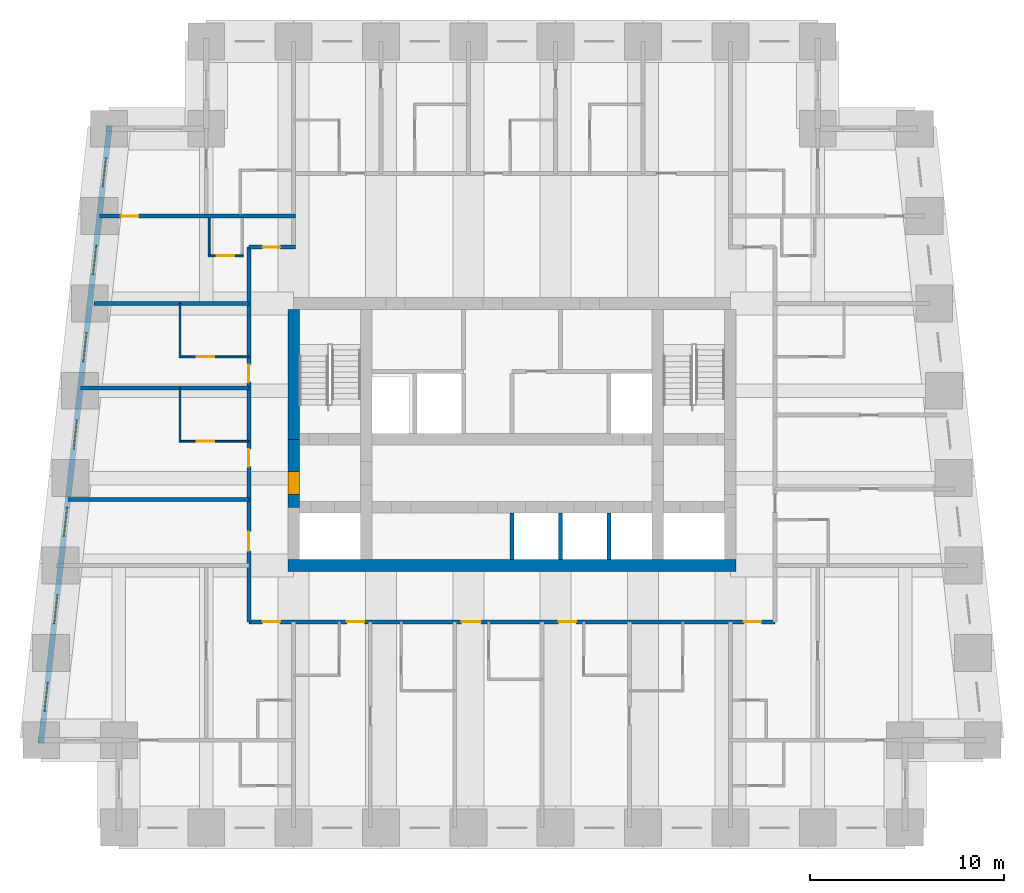
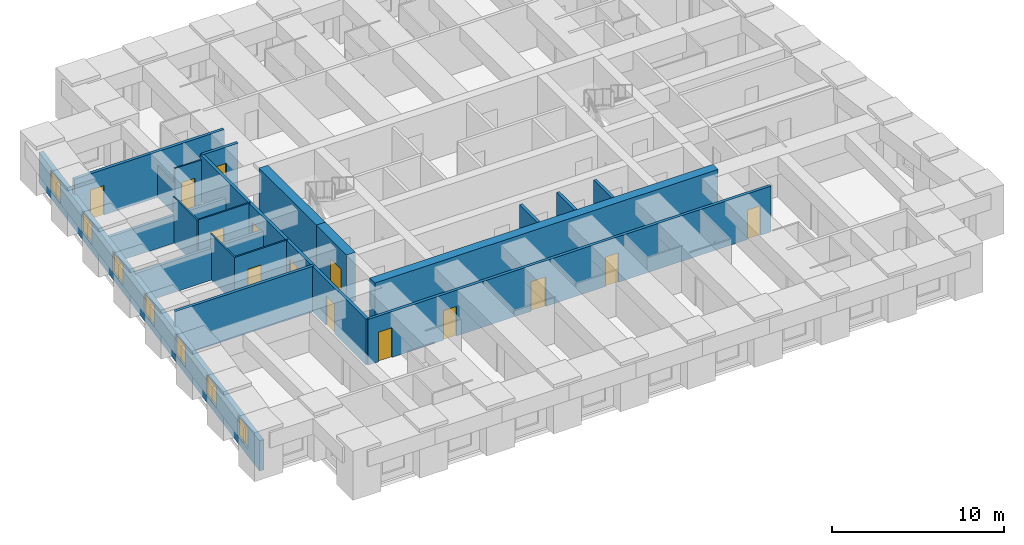
# One storey, part 3 of 8: 20 walls, 14 doors, 7 windows, 21 openings.
"""IFC4 building model written with IfcOpenShell, lengths in metres."""

from ifc_helpers import new_model, si_unit, direction, frame, frame_2d, origin, place, context, subcontext, project, spatial, rectangle, extrude, material, layer, layer_set, type_object, element, fill, save


model = new_model("IFC4")

# Units and contexts
model_context = context("Model", 3, precision=1e-05, world=origin(), true_north=direction((0.0, 1.0)))
body_context = subcontext(model_context, "Body", "Model", "MODEL_VIEW")
ifc_project = project(units=[si_unit("LENGTHUNIT", "METRE"), si_unit("AREAUNIT", "SQUARE_METRE"), si_unit("VOLUMEUNIT", "CUBIC_METRE"), si_unit("PLANEANGLEUNIT", "RADIAN"), si_unit("MASSUNIT", "GRAM", prefix="KILO")], contexts=[model_context])

# Site, building, storey
site_placement = place(None, origin())
site = spatial("IfcSite", under=ifc_project, at=site_placement, CompositionType="ELEMENT")
building_placement = place(site_placement, origin())
building = spatial("IfcBuilding", under=site, at=building_placement, Name="Kilele Tower Hotel", CompositionType="ELEMENT")
storey_placement = place(building_placement, frame((0.0, 0.0, 135.39990234375)))
storey = spatial("IfcBuildingStorey", under=building, at=storey_placement, Name="L35", CompositionType="ELEMENT", Elevation=135.39990234375)

# Wall
ifc_material_1 = material(Name="Moisture-resistant board")
ifc_layer_1 = layer(ifc_material_1, 0.10009765625)
ifc_layer_set_1 = layer_set([ifc_layer_1], Name="Moisture-resistant board")
wall_type_1 = type_object("IfcWallType", Name="Bathroom partition 100", PredefinedType="PLUMBINGWALL", material=ifc_layer_set_1)
wall_1_placement = place(storey_placement, frame((7.64990234375, 19.85009765625, 0.0), z_axis=(0.0, 0.0, 1.0), x_axis=(0.0, 1.0, 0.0)))
element("IfcWall", 1, at=wall_1_placement, inside=storey, type_object=wall_type_1, Name="Bathroom partition 100 L35", PredefinedType="PLUMBINGWALL", context=body_context, shape_type="SweptSolid", body=[
    extrude(rectangle(XDim=2.7998046875, YDim=0.10009765625, at=frame_2d((1.39990234375, 0.0))), origin(), (0.0, 0.0, 1.0), 3.25),
])

# Wall, opening, door
wall_2_placement = place(storey_placement, frame((11.199951171875, 19.89990234375, 0.0), z_axis=(0.0, 0.0, 1.0), x_axis=(-1.0, 0.0, 0.0)))
wall_2 = element("IfcWall", 2, at=wall_2_placement, inside=storey, type_object=wall_type_1, Name="Bathroom partition 100 L35", PredefinedType="PLUMBINGWALL", context=body_context, shape_type="SweptSolid", body=[
    extrude(rectangle(XDim=3.599853515625, YDim=0.10009765625, at=frame_2d((1.7998046875, 0.0))), origin(), (0.0, 0.0, 1.0), 3.25),
])
opening_1_placement = place(wall_2_placement, frame((1.800048828125, 0.0, 0.0)))
opening_1 = element("IfcOpeningElement", 3, at=opening_1_placement, cuts=wall_2, Name="Opening D2A", PredefinedType="OPENING", context=body_context, shape_type="SweptSolid", body=[
    extrude(rectangle(XDim=0.89990234375, YDim=2.10009765625, at=frame_2d((0.449951171875, 1.050048828125))), frame((0.0, 0.06005859375, 0.0), z_axis=(0.0, -1.0, 0.0), x_axis=(1.0, 0.0, 0.0)), (0.0, 0.0, 1.0), 0.1201171875),
])
ifc_material_2 = material(Name="Timber door leaf in hardwood frame", Category="wood")
door_type_1 = type_object("IfcDoorType", Name="Bathroom door 900", OperationType="SINGLE_SWING_LEFT", PredefinedType="DOOR", material=ifc_material_2)
door_1_placement = place(opening_1_placement, origin())
door_1 = element("IfcDoor", 4, at=door_1_placement, inside=storey, type_object=door_type_1, Name="Bathroom door 3515B", OperationType="SINGLE_SWING_RIGHT", OverallHeight=2.10009765625, OverallWidth=0.89990234375, PredefinedType="DOOR", context=body_context, shape_type="SweptSolid", body=[
    extrude(rectangle(XDim=0.89990234375, YDim=2.10009765625, at=frame_2d((0.449951171875, 1.050048828125))), frame((0.0, 0.02490234375, 0.0), z_axis=(0.0, -1.0, 0.0), x_axis=(1.0, 0.0, 0.0)), (0.0, 0.0, 1.0), 0.050048828125),
])
fill(opening_1, door_1)

# Wall
wall_3_placement = place(storey_placement, frame((7.64990234375, 24.199951171875, 0.0), z_axis=(0.0, 0.0, 1.0), x_axis=(0.0, 1.0, 0.0)))
element("IfcWall", 5, at=wall_3_placement, inside=storey, type_object=wall_type_1, Name="Bathroom partition 100 L35", PredefinedType="PLUMBINGWALL", context=body_context, shape_type="SweptSolid", body=[
    extrude(rectangle(XDim=2.800048828125, YDim=0.10009765625, at=frame_2d((1.39990234375, 0.0))), origin(), (0.0, 0.0, 1.0), 3.25),
])

# Wall, opening, door
wall_4_placement = place(storey_placement, frame((11.199951171875, 24.25, 0.0), z_axis=(0.0, 0.0, 1.0), x_axis=(-1.0, 0.0, 0.0)))
wall_4 = element("IfcWall", 6, at=wall_4_placement, inside=storey, type_object=wall_type_1, Name="Bathroom partition 100 L35", PredefinedType="PLUMBINGWALL", context=body_context, shape_type="SweptSolid", body=[
    extrude(rectangle(XDim=3.599853515625, YDim=0.10009765625, at=frame_2d((1.7998046875, 0.0))), origin(), (0.0, 0.0, 1.0), 3.25),
])
opening_2_placement = place(wall_4_placement, frame((1.800048828125, 0.0, 0.0)))
opening_2 = element("IfcOpeningElement", 7, at=opening_2_placement, cuts=wall_4, Name="Opening D2A", PredefinedType="OPENING", context=body_context, shape_type="SweptSolid", body=[
    extrude(rectangle(XDim=0.89990234375, YDim=2.10009765625, at=frame_2d((0.449951171875, 1.050048828125))), frame((0.0, 0.06005859375, 0.0), z_axis=(0.0, -1.0, 0.0), x_axis=(1.0, 0.0, 0.0)), (0.0, 0.0, 1.0), 0.1201171875),
])
door_2_placement = place(opening_2_placement, origin())
door_2 = element("IfcDoor", 8, at=door_2_placement, inside=storey, type_object=door_type_1, Name="Bathroom door 3516B", OperationType="SINGLE_SWING_RIGHT", OverallHeight=2.10009765625, OverallWidth=0.89990234375, PredefinedType="DOOR", context=body_context, shape_type="SweptSolid", body=[
    extrude(rectangle(XDim=0.89990234375, YDim=2.10009765625, at=frame_2d((0.449951171875, 1.050048828125))), frame((0.0, 0.02490234375, 0.0), z_axis=(0.0, -1.0, 0.0), x_axis=(1.0, 0.0, 0.0)), (0.0, 0.0, 1.0), 0.050048828125),
])
fill(opening_2, door_2)

# Wall
wall_5_placement = place(storey_placement, frame((9.14990234375, 31.39990234375, 0.0), z_axis=(0.0, 0.0, 1.0), x_axis=(0.0, -1.0, 0.0)))
element("IfcWall", 9, at=wall_5_placement, inside=storey, type_object=wall_type_1, Name="Bathroom partition 100 L35", PredefinedType="PLUMBINGWALL", context=body_context, shape_type="SweptSolid", body=[
    extrude(rectangle(XDim=2.0, YDim=0.10009765625, at=frame_2d((1.0, 0.0))), origin(), (0.0, 0.0, 1.0), 2.25),
])

# Wall, opening, door
wall_6_placement = place(storey_placement, frame((10.89990234375, 29.449951171875, 0.0), z_axis=(0.0, 0.0, 1.0), x_axis=(-1.0, 0.0, 0.0)))
wall_6 = element("IfcWall", 10, at=wall_6_placement, inside=storey, type_object=wall_type_1, Name="Bathroom partition 100 L35", PredefinedType="PLUMBINGWALL", context=body_context, shape_type="SweptSolid", body=[
    extrude(rectangle(XDim=1.7998046875, YDim=0.10009765625, at=frame_2d((0.89990234375, 0.0))), origin(), (0.0, 0.0, 1.0), 3.25),
])
opening_3_placement = place(wall_6_placement, frame((0.449951171875, 0.0, 0.0)))
opening_3 = element("IfcOpeningElement", 11, at=opening_3_placement, cuts=wall_6, Name="Opening D2A", PredefinedType="OPENING", context=body_context, shape_type="SweptSolid", body=[
    extrude(rectangle(XDim=0.89990234375, YDim=2.10009765625, at=frame_2d((0.449951171875, 1.050048828125))), frame((0.0, 0.06005859375, 0.0), z_axis=(0.0, -1.0, 0.0), x_axis=(1.0, 0.0, 0.0)), (0.0, 0.0, 1.0), 0.1201171875),
])
door_3_placement = place(opening_3_placement, origin())
door_3 = element("IfcDoor", 12, at=door_3_placement, inside=storey, type_object=door_type_1, Name="Bathroom door 3526P", OperationType="SINGLE_SWING_LEFT", OverallHeight=2.10009765625, OverallWidth=0.89990234375, PredefinedType="DOOR", context=body_context, shape_type="SweptSolid", body=[
    extrude(rectangle(XDim=0.89990234375, YDim=2.10009765625, at=frame_2d((0.449951171875, 1.050048828125))), frame((0.0, 0.02490234375, 0.0), z_axis=(0.0, -1.0, 0.0), x_axis=(1.0, 0.0, 0.0)), (0.0, 0.0, 1.0), 0.050048828125),
])
fill(opening_3, door_3)

# Walls
ifc_material_3 = material(Name="Concrete C60/75", Category="concrete")
ifc_layer_2 = layer(ifc_material_3, 0.60009765625)
ifc_layer_set_2 = layer_set([ifc_layer_2], Name="Concrete C60/75")
wall_type_2 = type_object("IfcWallType", Name="Core wall 600 C60/75", PredefinedType="SHEAR", material=ifc_layer_set_2)
wall_7_placement = place(storey_placement, frame((13.199951171875, 13.5, 0.0), z_axis=(0.0, 0.0, 1.0), x_axis=(1.0, 0.0, 0.0)))
element("IfcWall", 13, at=wall_7_placement, inside=storey, type_object=wall_type_2, Name="Core wall S L35", PredefinedType="SHEAR", context=body_context, shape_type="SweptSolid", body=[
    extrude(rectangle(XDim=23.10009765625, YDim=0.60009765625, at=frame_2d((11.550048828125, 0.0))), origin(), (0.0, 0.0, 1.0), 3.5),
])
wall_8_placement = place(storey_placement, frame((13.5, 26.699951171875, 0.0), z_axis=(0.0, 0.0, 1.0), x_axis=(0.0, -1.0, 0.0)))
element("IfcWall", 14, at=wall_8_placement, inside=storey, type_object=wall_type_2, Name="Core wall W1 L35", PredefinedType="SHEAR", context=body_context, shape_type="SweptSolid", body=[
    extrude(rectangle(XDim=6.699951171875, YDim=0.60009765625, at=frame_2d((3.35009765625, 0.0))), origin(), (0.0, 0.0, 1.0), 3.5),
])

# Wall, opening, door
wall_9_placement = place(storey_placement, frame((13.5, 20.0, 0.0), z_axis=(0.0, 0.0, 1.0), x_axis=(0.0, -1.0, 0.0)))
wall_9 = element("IfcWall", 15, at=wall_9_placement, inside=storey, type_object=wall_type_2, Name="Core wall W2 L35", PredefinedType="SHEAR", context=body_context, shape_type="SweptSolid", body=[
    extrude(rectangle(XDim=3.5, YDim=0.60009765625, at=frame_2d((1.75, 0.0))), origin(), (0.0, 0.0, 1.0), 3.5),
])
opening_4_placement = place(wall_9_placement, frame((1.64990234375, 0.0, 0.0)))
opening_4 = element("IfcOpeningElement", 16, at=opening_4_placement, cuts=wall_9, Name="Opening D4", PredefinedType="OPENING", context=body_context, shape_type="SweptSolid", body=[
    extrude(rectangle(XDim=1.199951171875, YDim=2.10009765625, at=frame_2d((0.60009765625, 1.050048828125))), frame((0.0, 0.31005859375, 0.0), z_axis=(0.0, -1.0, 0.0), x_axis=(1.0, 0.0, 0.0)), (0.0, 0.0, 1.0), 0.6201171875),
])
ifc_material_4 = material(Name="Timber door leaf in hardwood frame", Category="wood")
door_type_2 = type_object("IfcDoorType", Name="Firefighting lobby door 1200", OperationType="SINGLE_SWING_LEFT", PredefinedType="DOOR", material=ifc_material_4)
door_4_placement = place(opening_4_placement, origin())
door_4 = element("IfcDoor", 17, at=door_4_placement, inside=storey, type_object=door_type_2, Name="Lobby door L35", OperationType="SINGLE_SWING_RIGHT", OverallHeight=2.10009765625, OverallWidth=1.199951171875, PredefinedType="DOOR", context=body_context, shape_type="SweptSolid", body=[
    extrude(rectangle(XDim=1.199951171875, YDim=2.10009765625, at=frame_2d((0.60009765625, 1.050048828125))), frame((0.0, 0.2998046875, 0.0), z_axis=(0.0, -1.0, 0.0), x_axis=(1.0, 0.0, 0.0)), (0.0, 0.0, 1.0), 0.599609375),
])
fill(opening_4, door_4)

# Wall, openings, doors
ifc_material_5 = material(Name="Blockwork, plastered both sides", Category="masonry")
ifc_layer_3 = layer(ifc_material_5, 0.199951171875)
ifc_layer_set_3 = layer_set([ifc_layer_3], Name="Blockwork, plastered both sides")
wall_type_3 = type_object("IfcWallType", Name="Corridor wall 200", PredefinedType="PARTITIONING", material=ifc_layer_set_3)
wall_10_placement = place(storey_placement, frame((11.199951171875, 10.60009765625, 0.0), z_axis=(0.0, 0.0, 1.0), x_axis=(1.0, 0.0, 0.0)))
wall_10 = element("IfcWall", 18, at=wall_10_placement, inside=storey, type_object=wall_type_3, Name="Corridor wall 200 L35", PredefinedType="PARTITIONING", context=body_context, shape_type="SweptSolid", body=[
    extrude(rectangle(XDim=27.10009765625, YDim=0.199951171875, at=frame_2d((13.550048828125, 0.0))), origin(), (0.0, 0.0, 1.0), 3.25),
])
opening_5_placement = place(wall_10_placement, frame((5.949951171875, 0.0, 0.0), z_axis=(0.0, 0.0, 1.0), x_axis=(-1.0, 0.0, 0.0)))
opening_5 = element("IfcOpeningElement", 19, at=opening_5_placement, cuts=wall_10, Name="Opening D1", PredefinedType="OPENING", context=body_context, shape_type="SweptSolid", body=[
    extrude(rectangle(XDim=0.89990234375, YDim=2.10009765625, at=frame_2d((0.449951171875, 1.050048828125))), frame((0.0, 0.10986328125, 0.0), z_axis=(0.0, -1.0, 0.0), x_axis=(1.0, 0.0, 0.0)), (0.0, 0.0, 1.0), 0.219970703125),
])
opening_6_placement = place(wall_10_placement, frame((11.949951171875, 0.0, 0.0), z_axis=(0.0, 0.0, 1.0), x_axis=(-1.0, 0.0, 0.0)))
opening_6 = element("IfcOpeningElement", 20, at=opening_6_placement, cuts=wall_10, Name="Opening D1A", PredefinedType="OPENING", context=body_context, shape_type="SweptSolid", body=[
    extrude(rectangle(XDim=1.0, YDim=2.10009765625, at=frame_2d((0.5, 1.050048828125))), frame((0.0, 0.10986328125, 0.0), z_axis=(0.0, -1.0, 0.0), x_axis=(1.0, 0.0, 0.0)), (0.0, 0.0, 1.0), 0.219970703125),
])
opening_7_placement = place(wall_10_placement, frame((16.849853515625, 0.0, 0.0), z_axis=(0.0, 0.0, 1.0), x_axis=(-1.0, 0.0, 0.0)))
opening_7 = element("IfcOpeningElement", 21, at=opening_7_placement, cuts=wall_10, Name="Opening D1", PredefinedType="OPENING", context=body_context, shape_type="SweptSolid", body=[
    extrude(rectangle(XDim=0.89990234375, YDim=2.10009765625, at=frame_2d((0.449951171875, 1.050048828125))), frame((0.0, 0.10986328125, 0.0), z_axis=(0.0, -1.0, 0.0), x_axis=(1.0, 0.0, 0.0)), (0.0, 0.0, 1.0), 0.219970703125),
])
opening_8_placement = place(wall_10_placement, frame((1.599853515625, 0.0, 0.0), z_axis=(0.0, 0.0, 1.0), x_axis=(-1.0, 0.0, 0.0)))
opening_8 = element("IfcOpeningElement", 22, at=opening_8_placement, cuts=wall_10, Name="Opening D1", PredefinedType="OPENING", context=body_context, shape_type="SweptSolid", body=[
    extrude(rectangle(XDim=0.89990234375, YDim=2.10009765625, at=frame_2d((0.449951171875, 1.050048828125))), frame((0.0, 0.10986328125, 0.0), z_axis=(0.0, -1.0, 0.0), x_axis=(1.0, 0.0, 0.0)), (0.0, 0.0, 1.0), 0.219970703125),
])
opening_9_placement = place(wall_10_placement, frame((26.39990234375, 0.0, 0.0), z_axis=(0.0, 0.0, 1.0), x_axis=(-1.0, 0.0, 0.0)))
opening_9 = element("IfcOpeningElement", 23, at=opening_9_placement, cuts=wall_10, Name="Opening D1", PredefinedType="OPENING", context=body_context, shape_type="SweptSolid", body=[
    extrude(rectangle(XDim=0.89990234375, YDim=2.10009765625, at=frame_2d((0.449951171875, 1.050048828125))), frame((0.0, 0.10986328125, 0.0), z_axis=(0.0, -1.0, 0.0), x_axis=(1.0, 0.0, 0.0)), (0.0, 0.0, 1.0), 0.219970703125),
])
ifc_material_6 = material(Name="Timber door leaf in hardwood frame", Category="wood")
door_type_3 = type_object("IfcDoorType", Name="Guest room entrance door 1000", OperationType="SINGLE_SWING_LEFT", PredefinedType="DOOR", material=ifc_material_6)
door_5_placement = place(opening_6_placement, origin())
door_5 = element("IfcDoor", 24, at=door_5_placement, inside=storey, type_object=door_type_3, Name="Room entrance 3503", OperationType="SINGLE_SWING_RIGHT", OverallHeight=2.10009765625, OverallWidth=1.0, PredefinedType="DOOR", context=body_context, shape_type="SweptSolid", body=[
    extrude(rectangle(XDim=1.0, YDim=2.10009765625, at=frame_2d((0.5, 1.050048828125))), frame((0.0, 0.02490234375, 0.0), z_axis=(0.0, -1.0, 0.0), x_axis=(1.0, 0.0, 0.0)), (0.0, 0.0, 1.0), 0.050048828125),
])
fill(opening_6, door_5)
ifc_material_7 = material(Name="Timber door leaf in hardwood frame", Category="wood")
door_type_4 = type_object("IfcDoorType", Name="Guest room entrance door 900", OperationType="SINGLE_SWING_LEFT", PredefinedType="DOOR", material=ifc_material_7)
door_6_placement = place(opening_5_placement, origin())
door_6 = element("IfcDoor", 25, at=door_6_placement, inside=storey, type_object=door_type_4, Name="Room entrance 3501", OperationType="SINGLE_SWING_LEFT", OverallHeight=2.10009765625, OverallWidth=0.89990234375, PredefinedType="DOOR", context=body_context, shape_type="SweptSolid", body=[
    extrude(rectangle(XDim=0.89990234375, YDim=2.10009765625, at=frame_2d((0.449951171875, 1.050048828125))), frame((0.0, 0.02490234375, 0.0), z_axis=(0.0, -1.0, 0.0), x_axis=(1.0, 0.0, 0.0)), (0.0, 0.0, 1.0), 0.050048828125),
])
fill(opening_5, door_6)
door_7_placement = place(opening_7_placement, origin())
door_7 = element("IfcDoor", 26, at=door_7_placement, inside=storey, type_object=door_type_4, Name="Room entrance 3504", OperationType="SINGLE_SWING_LEFT", OverallHeight=2.10009765625, OverallWidth=0.89990234375, PredefinedType="DOOR", context=body_context, shape_type="SweptSolid", body=[
    extrude(rectangle(XDim=0.89990234375, YDim=2.10009765625, at=frame_2d((0.449951171875, 1.050048828125))), frame((0.0, 0.02490234375, 0.0), z_axis=(0.0, -1.0, 0.0), x_axis=(1.0, 0.0, 0.0)), (0.0, 0.0, 1.0), 0.050048828125),
])
fill(opening_7, door_7)
door_8_placement = place(opening_8_placement, origin())
door_8 = element("IfcDoor", 27, at=door_8_placement, inside=storey, type_object=door_type_4, Name="Room entrance 3517", OperationType="SINGLE_SWING_LEFT", OverallHeight=2.10009765625, OverallWidth=0.89990234375, PredefinedType="DOOR", context=body_context, shape_type="SweptSolid", body=[
    extrude(rectangle(XDim=0.89990234375, YDim=2.10009765625, at=frame_2d((0.449951171875, 1.050048828125))), frame((0.0, 0.02490234375, 0.0), z_axis=(0.0, -1.0, 0.0), x_axis=(1.0, 0.0, 0.0)), (0.0, 0.0, 1.0), 0.050048828125),
])
fill(opening_8, door_8)
door_9_placement = place(opening_9_placement, origin())
door_9 = element("IfcDoor", 28, at=door_9_placement, inside=storey, type_object=door_type_4, Name="Room entrance 3520", OperationType="SINGLE_SWING_RIGHT", OverallHeight=2.10009765625, OverallWidth=0.89990234375, PredefinedType="DOOR", context=body_context, shape_type="SweptSolid", body=[
    extrude(rectangle(XDim=0.89990234375, YDim=2.10009765625, at=frame_2d((0.449951171875, 1.050048828125))), frame((0.0, 0.02490234375, 0.0), z_axis=(0.0, -1.0, 0.0), x_axis=(1.0, 0.0, 0.0)), (0.0, 0.0, 1.0), 0.050048828125),
])
fill(opening_9, door_9)

# Wall, opening, door
wall_11_placement = place(storey_placement, frame((11.199951171875, 29.89990234375, 0.0), z_axis=(0.0, 0.0, 1.0), x_axis=(1.0, 0.0, 0.0)))
wall_11 = element("IfcWall", 29, at=wall_11_placement, inside=storey, type_object=wall_type_3, Name="Corridor wall 200 L35", PredefinedType="PARTITIONING", context=body_context, shape_type="SweptSolid", body=[
    extrude(rectangle(XDim=2.400146484375, YDim=0.199951171875, at=frame_2d((1.2001953125, 0.0))), origin(), (0.0, 0.0, 1.0), 3.25),
])
opening_10_placement = place(wall_11_placement, frame((0.699951171875, 0.0, 0.0)))
opening_10 = element("IfcOpeningElement", 30, at=opening_10_placement, cuts=wall_11, Name="Opening D1", PredefinedType="OPENING", context=body_context, shape_type="SweptSolid", body=[
    extrude(rectangle(XDim=0.89990234375, YDim=2.10009765625, at=frame_2d((0.449951171875, 1.050048828125))), frame((0.0, 0.10986328125, 0.0), z_axis=(0.0, -1.0, 0.0), x_axis=(1.0, 0.0, 0.0)), (0.0, 0.0, 1.0), 0.219970703125),
])
door_10_placement = place(opening_10_placement, origin())
door_10 = element("IfcDoor", 31, at=door_10_placement, inside=storey, type_object=door_type_4, Name="Room entrance 3526", OperationType="SINGLE_SWING_RIGHT", OverallHeight=2.10009765625, OverallWidth=0.89990234375, PredefinedType="DOOR", context=body_context, shape_type="SweptSolid", body=[
    extrude(rectangle(XDim=0.89990234375, YDim=2.10009765625, at=frame_2d((0.449951171875, 1.050048828125))), frame((0.0, 0.02490234375, 0.0), z_axis=(0.0, -1.0, 0.0), x_axis=(1.0, 0.0, 0.0)), (0.0, 0.0, 1.0), 0.050048828125),
])
fill(opening_10, door_10)

# Wall, openings, doors
wall_12_placement = place(storey_placement, frame((11.199951171875, 10.60009765625, 0.0), z_axis=(0.0, 0.0, 1.0), x_axis=(0.0, 1.0, 0.0)))
wall_12 = element("IfcWall", 32, at=wall_12_placement, inside=storey, type_object=wall_type_3, Name="Corridor wall 200 L35", PredefinedType="PARTITIONING", context=body_context, shape_type="SweptSolid", body=[
    extrude(rectangle(XDim=19.2998046875, YDim=0.199951171875, at=frame_2d((9.64990234375, 0.0))), origin(), (0.0, 0.0, 1.0), 3.25),
])
opening_11_placement = place(wall_12_placement, frame((3.64990234375, 0.0, 0.0)))
opening_11 = element("IfcOpeningElement", 33, at=opening_11_placement, cuts=wall_12, Name="Opening D8", PredefinedType="OPENING", context=body_context, shape_type="SweptSolid", body=[
    extrude(rectangle(XDim=1.0, YDim=2.10009765625, at=frame_2d((0.5, 1.050048828125))), frame((0.0, 0.10986328125, 0.0), z_axis=(0.0, -1.0, 0.0), x_axis=(1.0, 0.0, 0.0)), (0.0, 0.0, 1.0), 0.219970703125),
])
opening_12_placement = place(wall_12_placement, frame((8.0, 0.0, 0.0)))
opening_12 = element("IfcOpeningElement", 34, at=opening_12_placement, cuts=wall_12, Name="Opening D1", PredefinedType="OPENING", context=body_context, shape_type="SweptSolid", body=[
    extrude(rectangle(XDim=0.89990234375, YDim=2.10009765625, at=frame_2d((0.449951171875, 1.050048828125))), frame((0.0, 0.10986328125, 0.0), z_axis=(0.0, -1.0, 0.0), x_axis=(1.0, 0.0, 0.0)), (0.0, 0.0, 1.0), 0.219970703125),
])
opening_13_placement = place(wall_12_placement, frame((12.35009765625, 0.0, 0.0)))
opening_13 = element("IfcOpeningElement", 35, at=opening_13_placement, cuts=wall_12, Name="Opening D1", PredefinedType="OPENING", context=body_context, shape_type="SweptSolid", body=[
    extrude(rectangle(XDim=0.89990234375, YDim=2.10009765625, at=frame_2d((0.449951171875, 1.050048828125))), frame((0.0, 0.10986328125, 0.0), z_axis=(0.0, -1.0, 0.0), x_axis=(1.0, 0.0, 0.0)), (0.0, 0.0, 1.0), 0.219970703125),
])
ifc_material_8 = material(Name="Timber door leaf in hardwood frame", Category="wood")
door_type_5 = type_object("IfcDoorType", Name="Door 1000", OperationType="SINGLE_SWING_LEFT", PredefinedType="DOOR", material=ifc_material_8)
door_11_placement = place(opening_11_placement, origin())
door_11 = element("IfcDoor", 36, at=door_11_placement, inside=storey, type_object=door_type_5, Name="Room entrance 3514", OperationType="SINGLE_SWING_LEFT", OverallHeight=2.10009765625, OverallWidth=1.0, PredefinedType="DOOR", context=body_context, shape_type="SweptSolid", body=[
    extrude(rectangle(XDim=1.0, YDim=2.10009765625, at=frame_2d((0.5, 1.050048828125))), frame((0.0, 0.02490234375, 0.0), z_axis=(0.0, -1.0, 0.0), x_axis=(1.0, 0.0, 0.0)), (0.0, 0.0, 1.0), 0.050048828125),
])
fill(opening_11, door_11)
door_12_placement = place(opening_12_placement, origin())
door_12 = element("IfcDoor", 37, at=door_12_placement, inside=storey, type_object=door_type_4, Name="Room entrance 3515", OperationType="SINGLE_SWING_RIGHT", OverallHeight=2.10009765625, OverallWidth=0.89990234375, PredefinedType="DOOR", context=body_context, shape_type="SweptSolid", body=[
    extrude(rectangle(XDim=0.89990234375, YDim=2.10009765625, at=frame_2d((0.449951171875, 1.050048828125))), frame((0.0, 0.02490234375, 0.0), z_axis=(0.0, -1.0, 0.0), x_axis=(1.0, 0.0, 0.0)), (0.0, 0.0, 1.0), 0.050048828125),
])
fill(opening_12, door_12)
door_13_placement = place(opening_13_placement, origin())
door_13 = element("IfcDoor", 38, at=door_13_placement, inside=storey, type_object=door_type_4, Name="Room entrance 3516", OperationType="SINGLE_SWING_LEFT", OverallHeight=2.10009765625, OverallWidth=0.89990234375, PredefinedType="DOOR", context=body_context, shape_type="SweptSolid", body=[
    extrude(rectangle(XDim=0.89990234375, YDim=2.10009765625, at=frame_2d((0.449951171875, 1.050048828125))), frame((0.0, 0.02490234375, 0.0), z_axis=(0.0, -1.0, 0.0), x_axis=(1.0, 0.0, 0.0)), (0.0, 0.0, 1.0), 0.050048828125),
])
fill(opening_13, door_13)

# Walls
ifc_material_9 = material(Name="Blockwork, plastered both sides", Category="masonry")
ifc_layer_4 = layer(ifc_material_9, 0.199951171875)
ifc_layer_set_4 = layer_set([ifc_layer_4], Name="Blockwork, plastered both sides")
wall_type_4 = type_object("IfcWallType", Name="Party wall 200", PredefinedType="PARTITIONING", material=ifc_layer_set_4)
wall_13_placement = place(storey_placement, frame((11.199951171875, 16.89990234375, 0.0), z_axis=(0.0, 0.0, 1.0), x_axis=(-1.0, 0.0, 0.0)))
element("IfcWall", 39, at=wall_13_placement, inside=storey, type_object=wall_type_4, Name="Party wall 200 L35", PredefinedType="PARTITIONING", context=body_context, shape_type="SweptSolid", body=[
    extrude(rectangle(XDim=9.3212890625, YDim=0.199951171875, at=frame_2d((4.66064453125, 0.0))), origin(), (0.0, 0.0, 1.0), 3.25),
])
wall_14_placement = place(storey_placement, frame((11.199951171875, 22.64990234375, 0.0), z_axis=(0.0, 0.0, 1.0), x_axis=(-1.0, 0.0, 0.0)))
element("IfcWall", 40, at=wall_14_placement, inside=storey, type_object=wall_type_4, Name="Party wall 200 L35", PredefinedType="PARTITIONING", context=body_context, shape_type="SweptSolid", body=[
    extrude(rectangle(XDim=8.682373046875, YDim=0.199951171875, at=frame_2d((4.34130859375, 0.0))), origin(), (0.0, 0.0, 1.0), 2.25),
])
wall_15_placement = place(storey_placement, frame((11.199951171875, 27.0, 0.0), z_axis=(0.0, 0.0, 1.0), x_axis=(-1.0, 0.0, 0.0)))
element("IfcWall", 41, at=wall_15_placement, inside=storey, type_object=wall_type_4, Name="Party wall 200 L35", PredefinedType="PARTITIONING", context=body_context, shape_type="SweptSolid", body=[
    extrude(rectangle(XDim=7.976806640625, YDim=0.199951171875, at=frame_2d((3.98828125, 0.0))), origin(), (0.0, 0.0, 1.0), 1.9501953125),
])

# Wall, opening, door
wall_16_placement = place(storey_placement, frame((13.60009765625, 31.5, 0.0), z_axis=(0.0, 0.0, 1.0), x_axis=(-1.0, 0.0, 0.0)))
wall_16 = element("IfcWall", 42, at=wall_16_placement, inside=storey, type_object=wall_type_4, Name="Party wall 200 L35", PredefinedType="PARTITIONING", context=body_context, shape_type="SweptSolid", body=[
    extrude(rectangle(XDim=10.09912109375, YDim=0.199951171875, at=frame_2d((5.049560546875, 0.0))), origin(), (0.0, 0.0, 1.0), 3.25),
])
opening_14_placement = place(wall_16_placement, frame((8.9990234375, 0.0, 0.0), z_axis=(0.0, 0.0, 1.0), x_axis=(-1.0, 0.0, 0.0)))
opening_14 = element("IfcOpeningElement", 43, at=opening_14_placement, cuts=wall_16, Name="Opening D3", PredefinedType="OPENING", context=body_context, shape_type="SweptSolid", body=[
    extrude(rectangle(XDim=0.89990234375, YDim=2.10009765625, at=frame_2d((0.449951171875, 1.050048828125))), frame((0.0, 0.10986328125, 0.0), z_axis=(0.0, -1.0, 0.0), x_axis=(1.0, 0.0, 0.0)), (0.0, 0.0, 1.0), 0.219970703125),
])
ifc_material_10 = material(Name="Timber door leaf in hardwood frame", Category="wood")
door_type_6 = type_object("IfcDoorType", Name="Suite internal door 900", OperationType="SINGLE_SWING_LEFT", PredefinedType="DOOR", material=ifc_material_10)
door_14_placement = place(opening_14_placement, origin())
door_14 = element("IfcDoor", 44, at=door_14_placement, inside=storey, type_object=door_type_6, Name="Suite door 3527", OperationType="SINGLE_SWING_LEFT", OverallHeight=2.10009765625, OverallWidth=0.89990234375, PredefinedType="DOOR", context=body_context, shape_type="SweptSolid", body=[
    extrude(rectangle(XDim=0.89990234375, YDim=2.10009765625, at=frame_2d((0.449951171875, 1.050048828125))), frame((0.0, 0.02490234375, 0.0), z_axis=(0.0, -1.0, 0.0), x_axis=(1.0, 0.0, 0.0)), (0.0, 0.0, 1.0), 0.050048828125),
])
fill(opening_14, door_14)

# Wall, openings, windows
ifc_material_11 = material(Name="Concrete C40/50 precast", Category="concrete")
ifc_layer_5 = layer(ifc_material_11, 0.260009765625, Name="Precast backing", Category="LoadBearing")
ifc_material_12 = material(Name="Reconstituted stone finish", Category="masonry")
ifc_layer_6 = layer(ifc_material_12, 0.0400390625, Name="Face mix", Category="Finish")
ifc_layer_set_5 = layer_set([ifc_layer_5, ifc_layer_6], Name="Precast concrete C40/50, reconstituted stone finish")
wall_type_5 = type_object("IfcWallType", Name="Precast stone facade wall 300", PredefinedType="STANDARD", material=ifc_layer_set_5)
wall_17_placement = place(storey_placement, frame((4.0166015625, 36.149169921875, 0.0), z_axis=(0.0, 0.0, 1.0), x_axis=(-0.110433201132, -0.993883548555, 0.0)))
wall_17 = element("IfcWall", 45, at=wall_17_placement, inside=storey, type_object=wall_type_5, Name="Facade wall L35 edge 12", PredefinedType="STANDARD", context=body_context, shape_type="SweptSolid", body=[
    extrude(rectangle(XDim=31.994140625, YDim=0.300048828125, at=frame_2d((15.9970703125, 0.0))), origin(), (0.0, 0.0, 1.0), 2.150146484375),
])
opening_15_placement = place(wall_17_placement, frame((1.6640625, 0.0, 0.5)))
opening_15 = element("IfcOpeningElement", 46, at=opening_15_placement, cuts=wall_17, Name="Opening W2", PredefinedType="OPENING", context=body_context, shape_type="SweptSolid", body=[
    extrude(rectangle(XDim=1.5, YDim=1.5, at=frame_2d((0.75, 0.75))), frame((0.0, 0.159912109375, 0.0), z_axis=(0.0, -1.0, 0.0), x_axis=(1.0, 0.0, 0.0)), (0.0, 0.0, 1.0), 0.320068359375),
])
opening_16_placement = place(wall_17_placement, frame((6.19189453125, 0.0, 0.5)))
opening_16 = element("IfcOpeningElement", 47, at=opening_16_placement, cuts=wall_17, Name="Opening W2", PredefinedType="OPENING", context=body_context, shape_type="SweptSolid", body=[
    extrude(rectangle(XDim=1.5, YDim=1.5, at=frame_2d((0.75, 0.75))), frame((0.0, 0.159912109375, 0.0), z_axis=(0.0, -1.0, 0.0), x_axis=(1.0, 0.0, 0.0)), (0.0, 0.0, 1.0), 0.320068359375),
])
opening_17_placement = place(wall_17_placement, frame((10.718994140625, 0.0, 0.5)))
opening_17 = element("IfcOpeningElement", 48, at=opening_17_placement, cuts=wall_17, Name="Opening W2", PredefinedType="OPENING", context=body_context, shape_type="SweptSolid", body=[
    extrude(rectangle(XDim=1.5, YDim=1.5, at=frame_2d((0.75, 0.75))), frame((0.0, 0.159912109375, 0.0), z_axis=(0.0, -1.0, 0.0), x_axis=(1.0, 0.0, 0.0)), (0.0, 0.0, 1.0), 0.320068359375),
])
opening_18_placement = place(wall_17_placement, frame((15.2470703125, 0.0, 0.5)))
opening_18 = element("IfcOpeningElement", 49, at=opening_18_placement, cuts=wall_17, Name="Opening W2", PredefinedType="OPENING", context=body_context, shape_type="SweptSolid", body=[
    extrude(rectangle(XDim=1.5, YDim=1.5, at=frame_2d((0.75, 0.75))), frame((0.0, 0.159912109375, 0.0), z_axis=(0.0, -1.0, 0.0), x_axis=(1.0, 0.0, 0.0)), (0.0, 0.0, 1.0), 0.320068359375),
])
opening_19_placement = place(wall_17_placement, frame((19.77490234375, 0.0, 0.5)))
opening_19 = element("IfcOpeningElement", 50, at=opening_19_placement, cuts=wall_17, Name="Opening W2", PredefinedType="OPENING", context=body_context, shape_type="SweptSolid", body=[
    extrude(rectangle(XDim=1.5, YDim=1.5, at=frame_2d((0.75, 0.75))), frame((0.0, 0.159912109375, 0.0), z_axis=(0.0, -1.0, 0.0), x_axis=(1.0, 0.0, 0.0)), (0.0, 0.0, 1.0), 0.320068359375),
])
opening_20_placement = place(wall_17_placement, frame((24.302001953125, 0.0, 0.5)))
opening_20 = element("IfcOpeningElement", 51, at=opening_20_placement, cuts=wall_17, Name="Opening W2", PredefinedType="OPENING", context=body_context, shape_type="SweptSolid", body=[
    extrude(rectangle(XDim=1.5, YDim=1.5, at=frame_2d((0.75, 0.75))), frame((0.0, 0.159912109375, 0.0), z_axis=(0.0, -1.0, 0.0), x_axis=(1.0, 0.0, 0.0)), (0.0, 0.0, 1.0), 0.320068359375),
])
opening_21_placement = place(wall_17_placement, frame((28.830078125, 0.0, 0.5)))
opening_21 = element("IfcOpeningElement", 52, at=opening_21_placement, cuts=wall_17, Name="Opening W2", PredefinedType="OPENING", context=body_context, shape_type="SweptSolid", body=[
    extrude(rectangle(XDim=1.5, YDim=1.5, at=frame_2d((0.75, 0.75))), frame((0.0, 0.159912109375, 0.0), z_axis=(0.0, -1.0, 0.0), x_axis=(1.0, 0.0, 0.0)), (0.0, 0.0, 1.0), 0.320068359375),
])
ifc_material_13 = material(Name="Aluminium frame, clear double glazing", Category="aluminium")
window_type = type_object("IfcWindowType", Name="Window W2 1500 x 1500", PartitioningType="SINGLE_PANEL", PredefinedType="WINDOW", material=ifc_material_13)
window_1_placement = place(opening_15_placement, origin())
window_1 = element("IfcWindow", 53, at=window_1_placement, inside=storey, type_object=window_type, Name="Window L35", OverallHeight=1.5, OverallWidth=1.5, PartitioningType="SINGLE_PANEL", PredefinedType="WINDOW", context=body_context, shape_type="SweptSolid", body=[
    extrude(rectangle(XDim=1.5, YDim=1.5, at=frame_2d((0.75, 0.75))), frame((0.0, 0.030029296875, 0.0), z_axis=(0.0, -1.0, 0.0), x_axis=(1.0, 0.0, 0.0)), (0.0, 0.0, 1.0), 0.06005859375),
])
fill(opening_15, window_1)
window_2_placement = place(opening_16_placement, origin())
window_2 = element("IfcWindow", 54, at=window_2_placement, inside=storey, type_object=window_type, Name="Window L35", OverallHeight=1.5, OverallWidth=1.5, PartitioningType="SINGLE_PANEL", PredefinedType="WINDOW", context=body_context, shape_type="SweptSolid", body=[
    extrude(rectangle(XDim=1.5, YDim=1.5, at=frame_2d((0.75, 0.75))), frame((0.0, 0.030029296875, 0.0), z_axis=(0.0, -1.0, 0.0), x_axis=(1.0, 0.0, 0.0)), (0.0, 0.0, 1.0), 0.06005859375),
])
fill(opening_16, window_2)
window_3_placement = place(opening_17_placement, origin())
window_3 = element("IfcWindow", 55, at=window_3_placement, inside=storey, type_object=window_type, Name="Window L35", OverallHeight=1.5, OverallWidth=1.5, PartitioningType="SINGLE_PANEL", PredefinedType="WINDOW", context=body_context, shape_type="SweptSolid", body=[
    extrude(rectangle(XDim=1.5, YDim=1.5, at=frame_2d((0.75, 0.75))), frame((0.0, 0.030029296875, 0.0), z_axis=(0.0, -1.0, 0.0), x_axis=(1.0, 0.0, 0.0)), (0.0, 0.0, 1.0), 0.06005859375),
])
fill(opening_17, window_3)
window_4_placement = place(opening_18_placement, origin())
window_4 = element("IfcWindow", 56, at=window_4_placement, inside=storey, type_object=window_type, Name="Window L35", OverallHeight=1.5, OverallWidth=1.5, PartitioningType="SINGLE_PANEL", PredefinedType="WINDOW", context=body_context, shape_type="SweptSolid", body=[
    extrude(rectangle(XDim=1.5, YDim=1.5, at=frame_2d((0.75, 0.75))), frame((0.0, 0.030029296875, 0.0), z_axis=(0.0, -1.0, 0.0), x_axis=(1.0, 0.0, 0.0)), (0.0, 0.0, 1.0), 0.06005859375),
])
fill(opening_18, window_4)
window_5_placement = place(opening_19_placement, origin())
window_5 = element("IfcWindow", 57, at=window_5_placement, inside=storey, type_object=window_type, Name="Window L35", OverallHeight=1.5, OverallWidth=1.5, PartitioningType="SINGLE_PANEL", PredefinedType="WINDOW", context=body_context, shape_type="SweptSolid", body=[
    extrude(rectangle(XDim=1.5, YDim=1.5, at=frame_2d((0.75, 0.75))), frame((0.0, 0.030029296875, 0.0), z_axis=(0.0, -1.0, 0.0), x_axis=(1.0, 0.0, 0.0)), (0.0, 0.0, 1.0), 0.06005859375),
])
fill(opening_19, window_5)
window_6_placement = place(opening_20_placement, origin())
window_6 = element("IfcWindow", 58, at=window_6_placement, inside=storey, type_object=window_type, Name="Window L35", OverallHeight=1.5, OverallWidth=1.5, PartitioningType="SINGLE_PANEL", PredefinedType="WINDOW", context=body_context, shape_type="SweptSolid", body=[
    extrude(rectangle(XDim=1.5, YDim=1.5, at=frame_2d((0.75, 0.75))), frame((0.0, 0.030029296875, 0.0), z_axis=(0.0, -1.0, 0.0), x_axis=(1.0, 0.0, 0.0)), (0.0, 0.0, 1.0), 0.06005859375),
])
fill(opening_20, window_6)
window_7_placement = place(opening_21_placement, origin())
window_7 = element("IfcWindow", 59, at=window_7_placement, inside=storey, type_object=window_type, Name="Window L35", OverallHeight=1.5, OverallWidth=1.5, PartitioningType="SINGLE_PANEL", PredefinedType="WINDOW", context=body_context, shape_type="SweptSolid", body=[
    extrude(rectangle(XDim=1.5, YDim=1.5, at=frame_2d((0.75, 0.75))), frame((0.0, 0.030029296875, 0.0), z_axis=(0.0, -1.0, 0.0), x_axis=(1.0, 0.0, 0.0)), (0.0, 0.0, 1.0), 0.06005859375),
])
fill(opening_21, window_7)

# Walls
ifc_material_14 = material(Name="Blockwork, fire-rated", Category="masonry")
ifc_layer_7 = layer(ifc_material_14, 0.199951171875)
ifc_layer_set_6 = layer_set([ifc_layer_7], Name="Blockwork, fire-rated")
wall_type_6 = type_object("IfcWallType", Name="Shaft wall 200", PredefinedType="PARTITIONING", material=ifc_layer_set_6)
for number, where, z_axis, x_axis, name in (
    (60, (24.75, 13.800048828125, 0.0), (0.0, 0.0, 1.0), (0.0, 1.0, 0.0), "Shaft wall 200 L35"),
    (61, (27.25, 13.800048828125, 0.0), (0.0, 0.0, 1.0), (0.0, 1.0, 0.0), "Shaft wall 200 L35"),
    (62, (29.75, 13.800048828125, 0.0), (0.0, 0.0, 1.0), (0.0, 1.0, 0.0), "Shaft wall 200 L35"),
):
    element("IfcWall", number, at=place(storey_placement, frame(where, z_axis=z_axis, x_axis=x_axis)), inside=storey, type_object=wall_type_6, Name=name, PredefinedType="PARTITIONING", context=body_context, shape_type="SweptSolid", body=[
        extrude(rectangle(XDim=2.39990234375, YDim=0.199951171875, at=frame_2d((1.199951171875, 0.0))), origin(), (0.0, 0.0, 1.0), 3.25),
    ])

save(model, "model.ifc")
